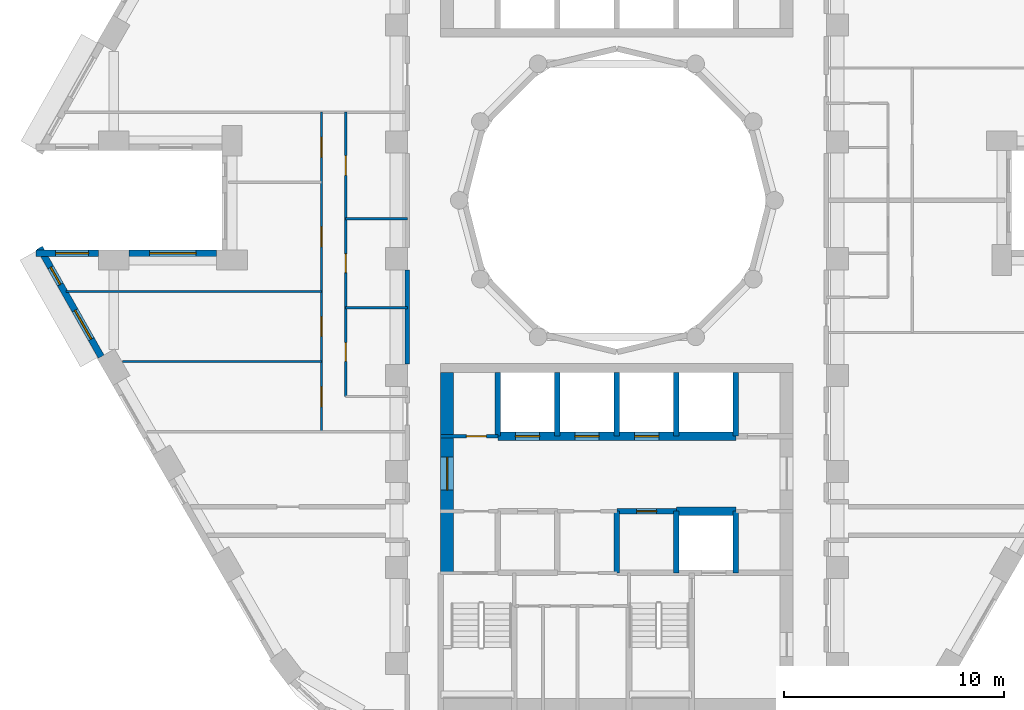
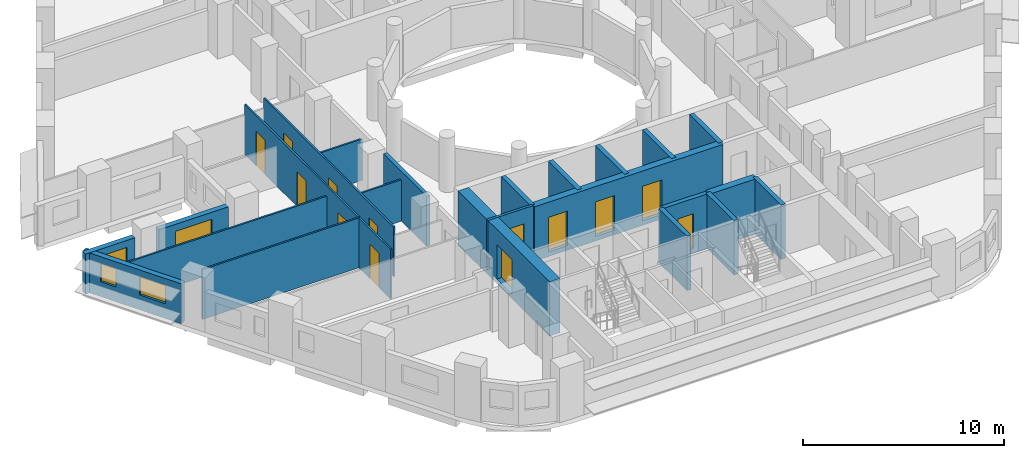
# One storey, part 4 of 12: 23 walls, 13 doors, 4 windows, 17 openings.
"""IFC4 building model written with IfcOpenShell, lengths in metres."""

from ifc_helpers import new_model, si_unit, direction, frame, frame_2d, origin, place, context, subcontext, project, spatial, rectangle, extrude, material, layer, layer_set, type_object, element, fill, save


model = new_model("IFC4")

# Units and contexts
model_context = context("Model", 3, precision=1e-05, world=origin(), true_north=direction((0.0, 1.0)))
body_context = subcontext(model_context, "Body", "Model", "MODEL_VIEW")
ifc_project = project(units=[si_unit("LENGTHUNIT", "METRE"), si_unit("AREAUNIT", "SQUARE_METRE"), si_unit("VOLUMEUNIT", "CUBIC_METRE"), si_unit("PLANEANGLEUNIT", "RADIAN"), si_unit("MASSUNIT", "GRAM", prefix="KILO")], contexts=[model_context])

# Site, building, storey
site_placement = place(None, origin())
site = spatial("IfcSite", under=ifc_project, at=site_placement, CompositionType="ELEMENT")
building_placement = place(site_placement, origin())
building = spatial("IfcBuilding", under=site, at=building_placement, Name="Nakaniwa Court", CompositionType="ELEMENT")
storey_placement = place(building_placement, frame((0.0, 0.0, 94.199951171875)))
storey = spatial("IfcBuildingStorey", under=building, at=storey_placement, Name="L24", CompositionType="ELEMENT", Elevation=94.199951171875)

# Wall
ifc_material_1 = material(Name="Acoustic double stud partition")
ifc_layer_1 = layer(ifc_material_1, 0.199951171875)
ifc_layer_set_1 = layer_set([ifc_layer_1], Name="Acoustic double stud partition")
wall_type_1 = type_object("IfcWallType", Name="Acoustic double stud partition 200", PredefinedType="PARTITIONING", material=ifc_layer_set_1)
wall_1_placement = place(storey_placement, frame((70.5, 72.56689453125, 0.0), z_axis=(0.0, 0.0, 1.0), x_axis=(0.0, 1.0, 0.0)))
element("IfcWall", 1, at=wall_1_placement, inside=storey, type_object=wall_type_1, Name="Partition PW-100", PredefinedType="PARTITIONING", context=body_context, shape_type="SweptSolid", body=[
    extrude(rectangle(XDim=4.26611328125, YDim=0.199951171875, at=frame_2d((2.133056640625, 0.0))), origin(), (0.0, 0.0, 1.0), 3.025146484375),
])

# Wall, opening, window
ifc_material_2 = material(Name="Charcoal ceramic cladding")
ifc_layer_2 = layer(ifc_material_2, 0.02, Name="Ceramic cladding")
ifc_material_3 = material(Name="Ventilated air cavity")
ifc_layer_3 = layer(ifc_material_3, 0.04, ventilated=True, Name="Ventilated cavity")
ifc_material_4 = material(Name="Mineral wool insulation")
ifc_layer_4 = layer(ifc_material_4, 0.1, Name="Insulation")
ifc_material_5 = material(Name="Cement bonded sheathing board")
ifc_layer_5 = layer(ifc_material_5, 0.012, Name="Sheathing")
ifc_material_6 = material(Name="Cold-formed galvanised stud frame with mineral wool infill")
ifc_layer_6 = layer(ifc_material_6, 0.1, Name="Stud frame")
ifc_material_7 = material(Name="Fire-rated gypsum plasterboard lining")
ifc_layer_7 = layer(ifc_material_7, 0.028, Name="Lining")
ifc_layer_set_2 = layer_set([ifc_layer_2, ifc_layer_3, ifc_layer_4, ifc_layer_5, ifc_layer_6, ifc_layer_7], Name="Charcoal ceramic faced external wall system")
wall_type_2 = type_object("IfcWallType", Name="Black ceramic faced external wall 300", PredefinedType="SOLIDWALL", material=ifc_layer_set_2)
wall_2_placement = place(storey_placement, frame((61.845703125, 77.60009765625, 0.0), z_axis=(0.0, 0.0, 1.0), x_axis=(-1.0, 0.0, 0.0)))
wall_2 = element("IfcWall", 2, at=wall_2_placement, inside=storey, type_object=wall_type_2, Name="L24 external wall 18", PredefinedType="SOLIDWALL", context=body_context, shape_type="SweptSolid", body=[
    extrude(rectangle(XDim=3.97265625, YDim=0.300048828125, at=frame_2d((1.986328125, 0.0))), origin(), (0.0, 0.0, 1.0), 2.425048828125),
])
opening_1_placement = place(wall_2_placement, frame((0.936279296875, 0.0, 0.89990234375)))
opening_1 = element("IfcOpeningElement", 3, at=opening_1_placement, cuts=wall_2, Name="Opening W7.21", PredefinedType="OPENING", context=body_context, shape_type="SweptSolid", body=[
    extrude(rectangle(XDim=2.10009765625, YDim=1.10009765625, at=frame_2d((1.050048828125, 0.550048828125))), frame((0.0, 0.159912109375, 0.0), z_axis=(0.0, -1.0, 0.0), x_axis=(1.0, 0.0, 0.0)), (0.0, 0.0, 1.0), 0.320068359375),
])
ifc_material_8 = material(Name="Black anodised aluminium frame with dark low-E laminated double glazing", Category="aluminium")
window_type_1 = type_object("IfcWindowType", Name="Dark glass window 2100x1100 sill 900", PartitioningType="SINGLE_PANEL", PredefinedType="WINDOW", material=ifc_material_8)
window_1_placement = place(opening_1_placement, origin())
window_1 = element("IfcWindow", 4, at=window_1_placement, inside=storey, type_object=window_type_1, Name="L24 living window 18-0", OverallHeight=1.10009765625, OverallWidth=2.10009765625, PartitioningType="SINGLE_PANEL", PredefinedType="WINDOW", context=body_context, shape_type="SweptSolid", body=[
    extrude(rectangle(XDim=2.10009765625, YDim=1.10009765625, at=frame_2d((1.050048828125, 0.550048828125))), frame((0.0, 0.030029296875, 0.0), z_axis=(0.0, -1.0, 0.0), x_axis=(1.0, 0.0, 0.0)), (0.0, 0.0, 1.0), 0.06005859375),
])
fill(opening_1, window_1)

wall_3_placement = place(storey_placement, frame((56.481201171875, 77.60009765625, 0.0), z_axis=(0.0, 0.0, 1.0), x_axis=(-1.0, 0.0, 0.0)))
wall_3 = element("IfcWall", 5, at=wall_3_placement, inside=storey, type_object=wall_type_2, Name="L24 external wall 19", PredefinedType="SOLIDWALL", context=body_context, shape_type="SweptSolid", body=[
    extrude(rectangle(XDim=2.837890625, YDim=0.300048828125, at=frame_2d((1.4189453125, 0.0))), origin(), (0.0, 0.0, 1.0), 2.425048828125),
])
opening_2_placement = place(wall_3_placement, frame((0.44384765625, 0.0, 0.89990234375)))
opening_2 = element("IfcOpeningElement", 6, at=opening_2_placement, cuts=wall_3, Name="Opening W5.22", PredefinedType="OPENING", context=body_context, shape_type="SweptSolid", body=[
    extrude(rectangle(XDim=1.5, YDim=1.10009765625, at=frame_2d((0.75, 0.550048828125))), frame((0.0, 0.159912109375, 0.0), z_axis=(0.0, -1.0, 0.0), x_axis=(1.0, 0.0, 0.0)), (0.0, 0.0, 1.0), 0.320068359375),
])
window_type_2 = type_object("IfcWindowType", Name="Dark glass window 1500x1100 sill 900", PartitioningType="SINGLE_PANEL", PredefinedType="WINDOW", material=ifc_material_8)
window_2_placement = place(opening_2_placement, origin())
window_2 = element("IfcWindow", 7, at=window_2_placement, inside=storey, type_object=window_type_2, Name="L24 living window 19-0", OverallHeight=1.10009765625, OverallWidth=1.5, PartitioningType="SINGLE_PANEL", PredefinedType="WINDOW", context=body_context, shape_type="SweptSolid", body=[
    extrude(rectangle(XDim=1.5, YDim=1.10009765625, at=frame_2d((0.75, 0.550048828125))), frame((0.0, 0.030029296875, 0.0), z_axis=(0.0, -1.0, 0.0), x_axis=(1.0, 0.0, 0.0)), (0.0, 0.0, 1.0), 0.06005859375),
])
fill(opening_2, window_2)

# Wall, openings, windows
wall_4_placement = place(storey_placement, frame((53.81396484375, 77.8466796875, 0.0), z_axis=(0.0, 0.0, 1.0), x_axis=(0.492456858874, -0.870336855561, 0.0)))
wall_4 = element("IfcWall", 8, at=wall_4_placement, inside=storey, type_object=wall_type_2, Name="L24 external wall 20", PredefinedType="SOLIDWALL", context=body_context, shape_type="SweptSolid", body=[
    extrude(rectangle(XDim=5.676513671875, YDim=0.300048828125, at=frame_2d((2.83837890625, 0.0))), origin(), (0.0, 0.0, 1.0), 2.425048828125),
])
opening_3_placement = place(wall_4_placement, frame((1.011962890625, 0.0, 0.89990234375)))
opening_3 = element("IfcOpeningElement", 9, at=opening_3_placement, cuts=wall_4, Name="Opening W9.23", PredefinedType="OPENING", context=body_context, shape_type="SweptSolid", body=[
    extrude(rectangle(XDim=0.89990234375, YDim=1.10009765625, at=frame_2d((0.449951171875, 0.550048828125))), frame((0.0, 0.159912109375, 0.0), z_axis=(0.0, -1.0, 0.0), x_axis=(1.0, 0.0, 0.0)), (0.0, 0.0, 1.0), 0.320068359375),
])
opening_4_placement = place(wall_4_placement, frame((3.261474609375, 0.0, 0.89990234375)))
opening_4 = element("IfcOpeningElement", 10, at=opening_4_placement, cuts=wall_4, Name="Opening W5.24", PredefinedType="OPENING", context=body_context, shape_type="SweptSolid", body=[
    extrude(rectangle(XDim=1.5, YDim=1.10009765625, at=frame_2d((0.75, 0.550048828125))), frame((0.0, 0.159912109375, 0.0), z_axis=(0.0, -1.0, 0.0), x_axis=(1.0, 0.0, 0.0)), (0.0, 0.0, 1.0), 0.320068359375),
])
window_3_placement = place(opening_4_placement, origin())
window_3 = element("IfcWindow", 11, at=window_3_placement, inside=storey, type_object=window_type_2, Name="L24 bedroom window 20-1", OverallHeight=1.10009765625, OverallWidth=1.5, PartitioningType="SINGLE_PANEL", PredefinedType="WINDOW", context=body_context, shape_type="SweptSolid", body=[
    extrude(rectangle(XDim=1.5, YDim=1.10009765625, at=frame_2d((0.75, 0.550048828125))), frame((0.0, 0.030029296875, 0.0), z_axis=(0.0, -1.0, 0.0), x_axis=(1.0, 0.0, 0.0)), (0.0, 0.0, 1.0), 0.06005859375),
])
fill(opening_4, window_3)
window_type_3 = type_object("IfcWindowType", Name="Dark glass window 900x1100 sill 900", PartitioningType="SINGLE_PANEL", PredefinedType="WINDOW", material=ifc_material_8)
window_4_placement = place(opening_3_placement, origin())
window_4 = element("IfcWindow", 12, at=window_4_placement, inside=storey, type_object=window_type_3, Name="L24 living window 20-0", OverallHeight=1.10009765625, OverallWidth=0.89990234375, PartitioningType="SINGLE_PANEL", PredefinedType="WINDOW", context=body_context, shape_type="SweptSolid", body=[
    extrude(rectangle(XDim=0.89990234375, YDim=1.10009765625, at=frame_2d((0.449951171875, 0.550048828125))), frame((0.0, 0.030029296875, 0.0), z_axis=(0.0, -1.0, 0.0), x_axis=(1.0, 0.0, 0.0)), (0.0, 0.0, 1.0), 0.06005859375),
])
fill(opening_3, window_4)

# Wall, opening, door
ifc_material_9 = material(Name="Blockwork partition", Category="masonry")
ifc_layer_8 = layer(ifc_material_9, 0.14990234375)
ifc_layer_set_3 = layer_set([ifc_layer_8], Name="Blockwork partition")
wall_type_3 = type_object("IfcWallType", Name="Blockwork partition 150", PredefinedType="PARTITIONING", material=ifc_layer_set_3)
wall_5_placement = place(storey_placement, frame((72.0, 69.300048828125, 0.0), z_axis=(0.0, 0.0, 1.0), x_axis=(1.0, 0.0, 0.0)))
wall_5 = element("IfcWall", 13, at=wall_5_placement, inside=storey, type_object=wall_type_3, Name="Partition PW-037", PredefinedType="PARTITIONING", context=body_context, shape_type="SweptSolid", body=[
    extrude(rectangle(XDim=2.60009765625, YDim=0.14990234375, at=frame_2d((1.300048828125, 0.0))), origin(), (0.0, 0.0, 1.0), 3.025146484375),
])
opening_5_placement = place(wall_5_placement, frame((1.175048828125, 0.0, 0.0)))
opening_5 = element("IfcOpeningElement", 14, at=opening_5_placement, cuts=wall_5, Name="Opening D-05-09", PredefinedType="OPENING", context=body_context, shape_type="SweptSolid", body=[
    extrude(rectangle(XDim=0.89990234375, YDim=2.10009765625, at=frame_2d((0.449951171875, 1.050048828125))), frame((0.0, 0.0849609375, 0.0), z_axis=(0.0, -1.0, 0.0), x_axis=(1.0, 0.0, 0.0)), (0.0, 0.0, 1.0), 0.169921875),
])
ifc_material_10 = material(Name="Fire rated steel door set", Category="steel")
door_type_1 = type_object("IfcDoorType", Name="Service room door 900", OperationType="NOTDEFINED", PredefinedType="DOOR", material=ifc_material_10)
door_1_placement = place(opening_5_placement, origin())
door_1 = element("IfcDoor", 15, at=door_1_placement, inside=storey, type_object=door_type_1, Name="Door D-05-09 L24-014", OperationType="SINGLE_SWING_LEFT", OverallHeight=2.10009765625, OverallWidth=0.89990234375, PredefinedType="DOOR", context=body_context, shape_type="SweptSolid", body=[
    extrude(rectangle(XDim=0.89990234375, YDim=2.10009765625, at=frame_2d((0.449951171875, 1.050048828125))), frame((0.0, 0.02490234375, 0.0), z_axis=(0.0, -1.0, 0.0), x_axis=(1.0, 0.0, 0.0)), (0.0, 0.0, 1.0), 0.050048828125),
])
fill(opening_5, door_1)

ifc_material_11 = material(Name="Concrete C80/100", Category="concrete")
ifc_layer_9 = layer(ifc_material_11, 0.60009765625)
ifc_layer_set_4 = layer_set([ifc_layer_9], Name="Concrete C80/100")
wall_type_4 = type_object("IfcWallType", Name="Concrete core side wall 600 C80", PredefinedType="SHEAR", material=ifc_layer_set_4)
wall_6_placement = place(storey_placement, frame((72.300048828125, 63.10009765625, -0.27490234375), z_axis=(0.0, 0.0, 1.0), x_axis=(0.0, 1.0, 0.0)))
wall_6 = element("IfcWall", 16, at=wall_6_placement, inside=storey, type_object=wall_type_4, Name="Core wall SW-38", PredefinedType="SHEAR", context=body_context, shape_type="SweptSolid", body=[
    extrude(rectangle(XDim=9.099853515625, YDim=0.60009765625, at=frame_2d((4.5498046875, 0.0))), origin(), (0.0, 0.0, 1.0), 3.300048828125),
])
opening_6_placement = place(wall_6_placement, frame((3.75, 0.0, 0.27490234375)))
opening_6 = element("IfcOpeningElement", 17, at=opening_6_placement, cuts=wall_6, Name="Opening D-07-04", PredefinedType="OPENING", context=body_context, shape_type="SweptSolid", body=[
    extrude(rectangle(XDim=1.5, YDim=2.10009765625, at=frame_2d((0.75, 1.050048828125))), frame((0.0, 0.31005859375, 0.0), z_axis=(0.0, -1.0, 0.0), x_axis=(1.0, 0.0, 0.0)), (0.0, 0.0, 1.0), 0.6201171875),
])
ifc_material_12 = material(Name="Glazed fire rated steel double door set", Category="steel")
door_type_2 = type_object("IfcDoorType", Name="Lobby double door 1500", OperationType="NOTDEFINED", PredefinedType="DOOR", material=ifc_material_12)
door_2_placement = place(opening_6_placement, origin())
door_2 = element("IfcDoor", 18, at=door_2_placement, inside=storey, type_object=door_type_2, Name="Door D-07-04 L24-055", OperationType="DOUBLE_DOOR_SINGLE_SWING", OverallHeight=2.10009765625, OverallWidth=1.5, PredefinedType="DOOR", context=body_context, shape_type="SweptSolid", body=[
    extrude(rectangle(XDim=1.5, YDim=2.10009765625, at=frame_2d((0.75, 1.050048828125))), frame((0.0, 0.02490234375, 0.0), z_axis=(0.0, -1.0, 0.0), x_axis=(1.0, 0.0, 0.0)), (0.0, 0.0, 1.0), 0.050048828125),
])
fill(opening_6, door_2)

# Wall, openings, doors
ifc_layer_10 = layer(ifc_material_11, 0.39990234375)
ifc_layer_set_5 = layer_set([ifc_layer_10], Name="Concrete C80/100")
wall_type_5 = type_object("IfcWallType", Name="Concrete core spine wall 400 C80", PredefinedType="SHEAR", material=ifc_layer_set_5)
wall_7_placement = place(storey_placement, frame((74.60009765625, 69.300048828125, -0.27490234375), z_axis=(0.0, 0.0, 1.0), x_axis=(1.0, 0.0, 0.0)))
wall_7 = element("IfcWall", 19, at=wall_7_placement, inside=storey, type_object=wall_type_5, Name="Core wall SW-41", PredefinedType="SHEAR", context=body_context, shape_type="SweptSolid", body=[
    extrude(rectangle(XDim=10.7998046875, YDim=0.39990234375, at=frame_2d((5.39990234375, 0.0))), origin(), (0.0, 0.0, 1.0), 3.300048828125),
])
opening_7_placement = place(wall_7_placement, frame((0.800048828125, 0.0, 0.27490234375)))
opening_7 = element("IfcOpeningElement", 20, at=opening_7_placement, cuts=wall_7, Name="Opening LD05", PredefinedType="OPENING", context=body_context, shape_type="SweptSolid", body=[
    extrude(rectangle(XDim=1.10009765625, YDim=2.10009765625, at=frame_2d((0.550048828125, 1.050048828125))), frame((0.0, 0.2099609375, 0.0), z_axis=(0.0, -1.0, 0.0), x_axis=(1.0, 0.0, 0.0)), (0.0, 0.0, 1.0), 0.419921875),
])
opening_8_placement = place(wall_7_placement, frame((3.5, 0.0, 0.27490234375)))
opening_8 = element("IfcOpeningElement", 21, at=opening_8_placement, cuts=wall_7, Name="Opening LD06", PredefinedType="OPENING", context=body_context, shape_type="SweptSolid", body=[
    extrude(rectangle(XDim=1.10009765625, YDim=2.10009765625, at=frame_2d((0.550048828125, 1.050048828125))), frame((0.0, 0.2099609375, 0.0), z_axis=(0.0, -1.0, 0.0), x_axis=(1.0, 0.0, 0.0)), (0.0, 0.0, 1.0), 0.419921875),
])
opening_9_placement = place(wall_7_placement, frame((6.199951171875, 0.0, 0.27490234375)))
opening_9 = element("IfcOpeningElement", 22, at=opening_9_placement, cuts=wall_7, Name="Opening LD07", PredefinedType="OPENING", context=body_context, shape_type="SweptSolid", body=[
    extrude(rectangle(XDim=1.10009765625, YDim=2.10009765625, at=frame_2d((0.550048828125, 1.050048828125))), frame((0.0, 0.2099609375, 0.0), z_axis=(0.0, -1.0, 0.0), x_axis=(1.0, 0.0, 0.0)), (0.0, 0.0, 1.0), 0.419921875),
])
ifc_material_13 = material(Name="Stainless steel sliding lift landing door", Category="steel")
door_type_3 = type_object("IfcDoorType", Name="Lift landing door 1100", OperationType="NOTDEFINED", PredefinedType="DOOR", material=ifc_material_13)
door_3_placement = place(opening_7_placement, origin())
door_3 = element("IfcDoor", 23, at=door_3_placement, inside=storey, type_object=door_type_3, Name="Lift landing door LD05 L24-005", OperationType="SLIDING_TO_LEFT", OverallHeight=2.10009765625, OverallWidth=1.10009765625, PredefinedType="DOOR", context=body_context, shape_type="SweptSolid", body=[
    extrude(rectangle(XDim=1.10009765625, YDim=2.10009765625, at=frame_2d((0.550048828125, 1.050048828125))), frame((0.0, 0.02490234375, 0.0), z_axis=(0.0, -1.0, 0.0), x_axis=(1.0, 0.0, 0.0)), (0.0, 0.0, 1.0), 0.050048828125),
])
fill(opening_7, door_3)
door_4_placement = place(opening_8_placement, origin())
door_4 = element("IfcDoor", 24, at=door_4_placement, inside=storey, type_object=door_type_3, Name="Lift landing door LD06 L24-006", OperationType="SLIDING_TO_LEFT", OverallHeight=2.10009765625, OverallWidth=1.10009765625, PredefinedType="DOOR", context=body_context, shape_type="SweptSolid", body=[
    extrude(rectangle(XDim=1.10009765625, YDim=2.10009765625, at=frame_2d((0.550048828125, 1.050048828125))), frame((0.0, 0.02490234375, 0.0), z_axis=(0.0, -1.0, 0.0), x_axis=(1.0, 0.0, 0.0)), (0.0, 0.0, 1.0), 0.050048828125),
])
fill(opening_8, door_4)
door_5_placement = place(opening_9_placement, origin())
door_5 = element("IfcDoor", 25, at=door_5_placement, inside=storey, type_object=door_type_3, Name="Lift landing door LD07 L24-007", OperationType="SLIDING_TO_LEFT", OverallHeight=2.10009765625, OverallWidth=1.10009765625, PredefinedType="DOOR", context=body_context, shape_type="SweptSolid", body=[
    extrude(rectangle(XDim=1.10009765625, YDim=2.10009765625, at=frame_2d((0.550048828125, 1.050048828125))), frame((0.0, 0.02490234375, 0.0), z_axis=(0.0, -1.0, 0.0), x_axis=(1.0, 0.0, 0.0)), (0.0, 0.0, 1.0), 0.050048828125),
])
fill(opening_9, door_5)

# Walls
wall_8_placement = place(storey_placement, frame((82.697021484375, 65.89990234375, -0.27490234375), z_axis=(0.0, 0.0, 1.0), x_axis=(1.0, 0.0, 0.0)))
element("IfcWall", 26, at=wall_8_placement, inside=storey, type_object=wall_type_5, Name="Core wall SW-55", PredefinedType="SHEAR", context=body_context, shape_type="SweptSolid", body=[
    extrude(rectangle(XDim=2.7060546875, YDim=0.39990234375, at=frame_2d((1.35302734375, 0.0))), origin(), (0.0, 0.0, 1.0), 3.300048828125),
])
ifc_layer_11 = layer(ifc_material_11, 0.25)
ifc_layer_set_6 = layer_set([ifc_layer_11], Name="Concrete C80/100")
wall_type_6 = type_object("IfcWallType", Name="Concrete shaft wall 250 C80", PredefinedType="SHEAR", material=ifc_layer_set_6)
for number, where, z_axis, x_axis, name in (
    (27, (74.60009765625, 69.300048828125, -0.27490234375), (0.0, 0.0, 1.0), (0.0, 1.0, 0.0), "Core wall SW-36"),
    (28, (77.300048828125, 69.300048828125, -0.27490234375), (0.0, 0.0, 1.0), (0.0, 1.0, 0.0), "Core wall SW-40"),
):
    element("IfcWall", number, at=place(storey_placement, frame(where, z_axis=z_axis, x_axis=x_axis)), inside=storey, type_object=wall_type_6, Name=name, PredefinedType="SHEAR", context=body_context, shape_type="SweptSolid", body=[
        extrude(rectangle(XDim=2.89990234375, YDim=0.25, at=frame_2d((1.449951171875, 0.0))), origin(), (0.0, 0.0, 1.0), 3.300048828125),
    ])
wall_9_placement = place(storey_placement, frame((80.0, 63.10009765625, -0.27490234375), z_axis=(0.0, 0.0, 1.0), x_axis=(0.0, 1.0, 0.0)))
element("IfcWall", 29, at=wall_9_placement, inside=storey, type_object=wall_type_6, Name="Core wall SW-42", PredefinedType="SHEAR", context=body_context, shape_type="SweptSolid", body=[
    extrude(rectangle(XDim=2.7998046875, YDim=0.25, at=frame_2d((1.39990234375, 0.0))), origin(), (0.0, 0.0, 1.0), 3.300048828125),
])
wall_10_placement = place(storey_placement, frame((80.0, 69.300048828125, -0.27490234375), z_axis=(0.0, 0.0, 1.0), x_axis=(0.0, 1.0, 0.0)))
element("IfcWall", 30, at=wall_10_placement, inside=storey, type_object=wall_type_6, Name="Core wall SW-43", PredefinedType="SHEAR", context=body_context, shape_type="SweptSolid", body=[
    extrude(rectangle(XDim=2.89990234375, YDim=0.25, at=frame_2d((1.449951171875, 0.0))), origin(), (0.0, 0.0, 1.0), 3.300048828125),
])
wall_11_placement = place(storey_placement, frame((82.699951171875, 63.10009765625, -0.27490234375), z_axis=(0.0, 0.0, 1.0), x_axis=(0.0, 1.0, 0.0)))
element("IfcWall", 31, at=wall_11_placement, inside=storey, type_object=wall_type_6, Name="Core wall SW-44", PredefinedType="SHEAR", context=body_context, shape_type="SweptSolid", body=[
    extrude(rectangle(XDim=2.7998046875, YDim=0.25, at=frame_2d((1.39990234375, 0.0))), origin(), (0.0, 0.0, 1.0), 3.300048828125),
])
wall_12_placement = place(storey_placement, frame((82.699951171875, 69.300048828125, -0.27490234375), z_axis=(0.0, 0.0, 1.0), x_axis=(0.0, 1.0, 0.0)))
element("IfcWall", 32, at=wall_12_placement, inside=storey, type_object=wall_type_6, Name="Core wall SW-45", PredefinedType="SHEAR", context=body_context, shape_type="SweptSolid", body=[
    extrude(rectangle(XDim=2.89990234375, YDim=0.25, at=frame_2d((1.449951171875, 0.0))), origin(), (0.0, 0.0, 1.0), 3.300048828125),
])
wall_13_placement = place(storey_placement, frame((85.39990234375, 63.10009765625, -0.27490234375), z_axis=(0.0, 0.0, 1.0), x_axis=(0.0, 1.0, 0.0)))
element("IfcWall", 33, at=wall_13_placement, inside=storey, type_object=wall_type_6, Name="Core wall SW-46", PredefinedType="SHEAR", context=body_context, shape_type="SweptSolid", body=[
    extrude(rectangle(XDim=2.7998046875, YDim=0.25, at=frame_2d((1.39990234375, 0.0))), origin(), (0.0, 0.0, 1.0), 3.300048828125),
])
wall_14_placement = place(storey_placement, frame((85.39990234375, 69.300048828125, -0.27490234375), z_axis=(0.0, 0.0, 1.0), x_axis=(0.0, 1.0, 0.0)))
element("IfcWall", 34, at=wall_14_placement, inside=storey, type_object=wall_type_6, Name="Core wall SW-47", PredefinedType="SHEAR", context=body_context, shape_type="SweptSolid", body=[
    extrude(rectangle(XDim=2.89990234375, YDim=0.25, at=frame_2d((1.449951171875, 0.0))), origin(), (0.0, 0.0, 1.0), 3.300048828125),
])

# Wall, opening, door
wall_15_placement = place(storey_placement, frame((82.702880859375, 65.89990234375, -0.27490234375), z_axis=(0.0, 0.0, 1.0), x_axis=(-1.0, 0.0, 0.0)))
wall_15 = element("IfcWall", 35, at=wall_15_placement, inside=storey, type_object=wall_type_6, Name="Core wall SW-54", PredefinedType="SHEAR", context=body_context, shape_type="SweptSolid", body=[
    extrude(rectangle(XDim=2.705810546875, YDim=0.25, at=frame_2d((1.35302734375, 0.0))), origin(), (0.0, 0.0, 1.0), 3.300048828125),
])
opening_10_placement = place(wall_15_placement, frame((0.903076171875, 0.0, 0.27490234375)))
opening_10 = element("IfcOpeningElement", 36, at=opening_10_placement, cuts=wall_15, Name="Opening D-05-12", PredefinedType="OPENING", context=body_context, shape_type="SweptSolid", body=[
    extrude(rectangle(XDim=0.89990234375, YDim=2.10009765625, at=frame_2d((0.449951171875, 1.050048828125))), frame((0.0, 0.135009765625, 0.0), z_axis=(0.0, -1.0, 0.0), x_axis=(1.0, 0.0, 0.0)), (0.0, 0.0, 1.0), 0.27001953125),
])
door_6_placement = place(opening_10_placement, origin())
door_6 = element("IfcDoor", 37, at=door_6_placement, inside=storey, type_object=door_type_1, Name="Door D-05-12 L24-019", OperationType="SINGLE_SWING_RIGHT", OverallHeight=2.10009765625, OverallWidth=0.89990234375, PredefinedType="DOOR", context=body_context, shape_type="SweptSolid", body=[
    extrude(rectangle(XDim=0.89990234375, YDim=2.10009765625, at=frame_2d((0.449951171875, 1.050048828125))), frame((0.0, 0.02490234375, 0.0), z_axis=(0.0, -1.0, 0.0), x_axis=(1.0, 0.0, 0.0)), (0.0, 0.0, 1.0), 0.050048828125),
])
fill(opening_10, door_6)

# Wall
ifc_material_14 = material(Name="Single stud plasterboard partition")
ifc_layer_12 = layer(ifc_material_14, 0.10009765625)
ifc_layer_set_7 = layer_set([ifc_layer_12], Name="Single stud plasterboard partition")
wall_type_7 = type_object("IfcWallType", Name="Single stud plasterboard partition 100", PredefinedType="PARTITIONING", material=ifc_layer_set_7)
wall_16_placement = place(storey_placement, frame((67.699951171875, 75.131103515625, 0.0), z_axis=(0.0, 0.0, 1.0), x_axis=(1.0, 0.0, 0.0)))
element("IfcWall", 38, at=wall_16_placement, inside=storey, type_object=wall_type_7, Name="Partition PW-116", PredefinedType="PARTITIONING", context=body_context, shape_type="SweptSolid", body=[
    extrude(rectangle(XDim=2.800048828125, YDim=0.10009765625, at=frame_2d((1.39990234375, 0.0))), origin(), (0.0, 0.0, 1.0), 2.505126953125),
])

# Wall, openings, doors
wall_17_placement = place(storey_placement, frame((67.699951171875, 84.0, 0.0), z_axis=(0.0, 0.0, 1.0), x_axis=(0.0, -1.0, 0.0)))
wall_17 = element("IfcWall", 39, at=wall_17_placement, inside=storey, type_object=wall_type_7, Name="Partition PW-118", PredefinedType="PARTITIONING", context=body_context, shape_type="SweptSolid", body=[
    extrude(rectangle(XDim=12.89990234375, YDim=0.10009765625, at=frame_2d((6.449951171875, 0.0))), origin(), (0.0, 0.0, 1.0), 3.025146484375),
])
opening_11_placement = place(wall_17_placement, frame((10.458984375, 0.0, 0.0)))
opening_11 = element("IfcOpeningElement", 40, at=opening_11_placement, cuts=wall_17, Name="Opening D-03-03", PredefinedType="OPENING", context=body_context, shape_type="SweptSolid", body=[
    extrude(rectangle(XDim=0.85009765625, YDim=2.10009765625, at=frame_2d((0.425048828125, 1.050048828125))), frame((0.0, 0.06005859375, 0.0), z_axis=(0.0, -1.0, 0.0), x_axis=(1.0, 0.0, 0.0)), (0.0, 0.0, 1.0), 0.1201171875),
])
opening_12_placement = place(wall_17_placement, frame((6.427978515625, 0.0, 0.0)))
opening_12 = element("IfcOpeningElement", 41, at=opening_12_placement, cuts=wall_17, Name="Opening D-03-04", PredefinedType="OPENING", context=body_context, shape_type="SweptSolid", body=[
    extrude(rectangle(XDim=0.85009765625, YDim=2.10009765625, at=frame_2d((0.425048828125, 1.050048828125))), frame((0.0, 0.06005859375, 0.0), z_axis=(0.0, -1.0, 0.0), x_axis=(1.0, 0.0, 0.0)), (0.0, 0.0, 1.0), 0.1201171875),
])
opening_13_placement = place(wall_17_placement, frame((1.968994140625, 0.0, 0.0)))
opening_13 = element("IfcOpeningElement", 42, at=opening_13_placement, cuts=wall_17, Name="Opening D-33-05", PredefinedType="OPENING", context=body_context, shape_type="SweptSolid", body=[
    extrude(rectangle(XDim=0.89990234375, YDim=2.10009765625, at=frame_2d((0.449951171875, 1.050048828125))), frame((0.0, 0.06005859375, 0.0), z_axis=(0.0, -1.0, 0.0), x_axis=(1.0, 0.0, 0.0)), (0.0, 0.0, 1.0), 0.1201171875),
])
ifc_material_15 = material(Name="Moisture sealed timber door set", Category="wood")
door_type_4 = type_object("IfcDoorType", Name="Bathroom door 850", OperationType="NOTDEFINED", PredefinedType="DOOR", material=ifc_material_15)
door_7_placement = place(opening_11_placement, origin())
door_7 = element("IfcDoor", 43, at=door_7_placement, inside=storey, type_object=door_type_4, Name="Door D-03-03 L24-040", OperationType="SINGLE_SWING_LEFT", OverallHeight=2.10009765625, OverallWidth=0.85009765625, PredefinedType="DOOR", context=body_context, shape_type="SweptSolid", body=[
    extrude(rectangle(XDim=0.85009765625, YDim=2.10009765625, at=frame_2d((0.425048828125, 1.050048828125))), frame((0.0, 0.02490234375, 0.0), z_axis=(0.0, -1.0, 0.0), x_axis=(1.0, 0.0, 0.0)), (0.0, 0.0, 1.0), 0.050048828125),
])
fill(opening_11, door_7)
door_8_placement = place(opening_12_placement, origin())
door_8 = element("IfcDoor", 44, at=door_8_placement, inside=storey, type_object=door_type_4, Name="Door D-03-04 L24-041", OperationType="SINGLE_SWING_RIGHT", OverallHeight=2.10009765625, OverallWidth=0.85009765625, PredefinedType="DOOR", context=body_context, shape_type="SweptSolid", body=[
    extrude(rectangle(XDim=0.85009765625, YDim=2.10009765625, at=frame_2d((0.425048828125, 1.050048828125))), frame((0.0, 0.02490234375, 0.0), z_axis=(0.0, -1.0, 0.0), x_axis=(1.0, 0.0, 0.0)), (0.0, 0.0, 1.0), 0.050048828125),
])
fill(opening_12, door_8)
ifc_material_16 = material(Name="Solid core timber door set, black veneer", Category="wood")
door_type_5 = type_object("IfcDoorType", Name="Internal door 900", OperationType="NOTDEFINED", PredefinedType="DOOR", material=ifc_material_16)
door_9_placement = place(opening_13_placement, origin())
door_9 = element("IfcDoor", 45, at=door_9_placement, inside=storey, type_object=door_type_5, Name="Door D-33-05 L24-042", OperationType="SINGLE_SWING_LEFT", OverallHeight=2.10009765625, OverallWidth=0.89990234375, PredefinedType="DOOR", context=body_context, shape_type="SweptSolid", body=[
    extrude(rectangle(XDim=0.89990234375, YDim=2.10009765625, at=frame_2d((0.449951171875, 1.050048828125))), frame((0.0, 0.02490234375, 0.0), z_axis=(0.0, -1.0, 0.0), x_axis=(1.0, 0.0, 0.0)), (0.0, 0.0, 1.0), 0.050048828125),
])
fill(opening_13, door_9)

# Wall
wall_18_placement = place(storey_placement, frame((67.699951171875, 79.162109375, 0.0), z_axis=(0.0, 0.0, 1.0), x_axis=(1.0, 0.0, 0.0)))
element("IfcWall", 46, at=wall_18_placement, inside=storey, type_object=wall_type_7, Name="Partition PW-119", PredefinedType="PARTITIONING", context=body_context, shape_type="SweptSolid", body=[
    extrude(rectangle(XDim=2.800048828125, YDim=0.10009765625, at=frame_2d((1.39990234375, 0.0))), origin(), (0.0, 0.0, 1.0), 2.505126953125),
])

# Wall, openings, doors
wall_19_placement = place(storey_placement, frame((66.60009765625, 69.5, 0.0), z_axis=(0.0, 0.0, 1.0), x_axis=(0.0, 1.0, 0.0)))
wall_19 = element("IfcWall", 47, at=wall_19_placement, inside=storey, type_object=wall_type_7, Name="Partition PW-121", PredefinedType="PARTITIONING", context=body_context, shape_type="SweptSolid", body=[
    extrude(rectangle(XDim=14.5, YDim=0.10009765625, at=frame_2d((7.25, 0.0))), origin(), (0.0, 0.0, 1.0), 3.025146484375),
])
opening_14_placement = place(wall_19_placement, frame((1.14111328125, 0.0, 0.0)))
opening_14 = element("IfcOpeningElement", 48, at=opening_14_placement, cuts=wall_19, Name="Opening D-33-06", PredefinedType="OPENING", context=body_context, shape_type="SweptSolid", body=[
    extrude(rectangle(XDim=0.89990234375, YDim=2.10009765625, at=frame_2d((0.449951171875, 1.050048828125))), frame((0.0, 0.06005859375, 0.0), z_axis=(0.0, -1.0, 0.0), x_axis=(1.0, 0.0, 0.0)), (0.0, 0.0, 1.0), 0.1201171875),
])
opening_15_placement = place(wall_19_placement, frame((4.323974609375, 0.0, 0.0)))
opening_15 = element("IfcOpeningElement", 49, at=opening_15_placement, cuts=wall_19, Name="Opening D-33-07", PredefinedType="OPENING", context=body_context, shape_type="SweptSolid", body=[
    extrude(rectangle(XDim=0.89990234375, YDim=2.10009765625, at=frame_2d((0.449951171875, 1.050048828125))), frame((0.0, 0.06005859375, 0.0), z_axis=(0.0, -1.0, 0.0), x_axis=(1.0, 0.0, 0.0)), (0.0, 0.0, 1.0), 0.1201171875),
])
opening_16_placement = place(wall_19_placement, frame((8.39111328125, 0.0, 0.0)))
opening_16 = element("IfcOpeningElement", 50, at=opening_16_placement, cuts=wall_19, Name="Opening D-33-08", PredefinedType="OPENING", context=body_context, shape_type="SweptSolid", body=[
    extrude(rectangle(XDim=0.89990234375, YDim=2.10009765625, at=frame_2d((0.449951171875, 1.050048828125))), frame((0.0, 0.06005859375, 0.0), z_axis=(0.0, -1.0, 0.0), x_axis=(1.0, 0.0, 0.0)), (0.0, 0.0, 1.0), 0.1201171875),
])
opening_17_placement = place(wall_19_placement, frame((12.458984375, 0.0, 0.0)))
opening_17 = element("IfcOpeningElement", 51, at=opening_17_placement, cuts=wall_19, Name="Opening D-33-09", PredefinedType="OPENING", context=body_context, shape_type="SweptSolid", body=[
    extrude(rectangle(XDim=0.89990234375, YDim=2.10009765625, at=frame_2d((0.449951171875, 1.050048828125))), frame((0.0, 0.06005859375, 0.0), z_axis=(0.0, -1.0, 0.0), x_axis=(1.0, 0.0, 0.0)), (0.0, 0.0, 1.0), 0.1201171875),
])
door_10_placement = place(opening_14_placement, origin())
door_10 = element("IfcDoor", 52, at=door_10_placement, inside=storey, type_object=door_type_5, Name="Door D-33-06 L24-043", OperationType="SINGLE_SWING_RIGHT", OverallHeight=2.10009765625, OverallWidth=0.89990234375, PredefinedType="DOOR", context=body_context, shape_type="SweptSolid", body=[
    extrude(rectangle(XDim=0.89990234375, YDim=2.10009765625, at=frame_2d((0.449951171875, 1.050048828125))), frame((0.0, 0.02490234375, 0.0), z_axis=(0.0, -1.0, 0.0), x_axis=(1.0, 0.0, 0.0)), (0.0, 0.0, 1.0), 0.050048828125),
])
fill(opening_14, door_10)
door_11_placement = place(opening_15_placement, origin())
door_11 = element("IfcDoor", 53, at=door_11_placement, inside=storey, type_object=door_type_5, Name="Door D-33-07 L24-044", OperationType="SINGLE_SWING_LEFT", OverallHeight=2.10009765625, OverallWidth=0.89990234375, PredefinedType="DOOR", context=body_context, shape_type="SweptSolid", body=[
    extrude(rectangle(XDim=0.89990234375, YDim=2.10009765625, at=frame_2d((0.449951171875, 1.050048828125))), frame((0.0, 0.02490234375, 0.0), z_axis=(0.0, -1.0, 0.0), x_axis=(1.0, 0.0, 0.0)), (0.0, 0.0, 1.0), 0.050048828125),
])
fill(opening_15, door_11)
door_12_placement = place(opening_16_placement, origin())
door_12 = element("IfcDoor", 54, at=door_12_placement, inside=storey, type_object=door_type_5, Name="Door D-33-08 L24-045", OperationType="SINGLE_SWING_RIGHT", OverallHeight=2.10009765625, OverallWidth=0.89990234375, PredefinedType="DOOR", context=body_context, shape_type="SweptSolid", body=[
    extrude(rectangle(XDim=0.89990234375, YDim=2.10009765625, at=frame_2d((0.449951171875, 1.050048828125))), frame((0.0, 0.02490234375, 0.0), z_axis=(0.0, -1.0, 0.0), x_axis=(1.0, 0.0, 0.0)), (0.0, 0.0, 1.0), 0.050048828125),
])
fill(opening_16, door_12)
door_13_placement = place(opening_17_placement, origin())
door_13 = element("IfcDoor", 55, at=door_13_placement, inside=storey, type_object=door_type_5, Name="Door D-33-09 L24-046", OperationType="SINGLE_SWING_LEFT", OverallHeight=2.10009765625, OverallWidth=0.89990234375, PredefinedType="DOOR", context=body_context, shape_type="SweptSolid", body=[
    extrude(rectangle(XDim=0.89990234375, YDim=2.10009765625, at=frame_2d((0.449951171875, 1.050048828125))), frame((0.0, 0.02490234375, 0.0), z_axis=(0.0, -1.0, 0.0), x_axis=(1.0, 0.0, 0.0)), (0.0, 0.0, 1.0), 0.050048828125),
])
fill(opening_17, door_13)

# Walls
wall_20_placement = place(storey_placement, frame((57.573974609375, 72.68310546875, 0.0), z_axis=(0.0, 0.0, 1.0), x_axis=(1.0, 0.0, 0.0)))
element("IfcWall", 56, at=wall_20_placement, inside=storey, type_object=wall_type_7, Name="Partition PW-123", PredefinedType="PARTITIONING", context=body_context, shape_type="SweptSolid", body=[
    extrude(rectangle(XDim=9.026123046875, YDim=0.10009765625, at=frame_2d((4.51318359375, 0.0))), origin(), (0.0, 0.0, 1.0), 3.025146484375),
])
wall_21_placement = place(storey_placement, frame((55.0205078125, 75.865966796875, 0.0), z_axis=(0.0, 0.0, 1.0), x_axis=(1.0, 0.0, 0.0)))
element("IfcWall", 57, at=wall_21_placement, inside=storey, type_object=wall_type_7, Name="Partition PW-124", PredefinedType="PARTITIONING", context=body_context, shape_type="SweptSolid", body=[
    extrude(rectangle(XDim=11.57958984375, YDim=0.10009765625, at=frame_2d((5.789794921875, 0.0))), origin(), (0.0, 0.0, 1.0), 2.405029296875),
])

save(model, "model.ifc")
